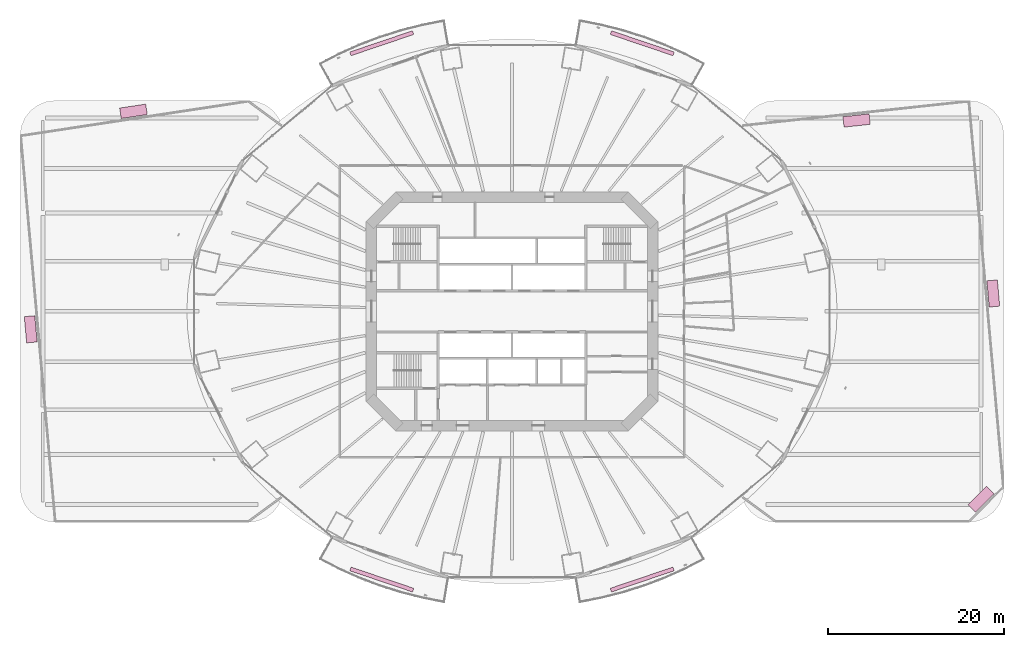
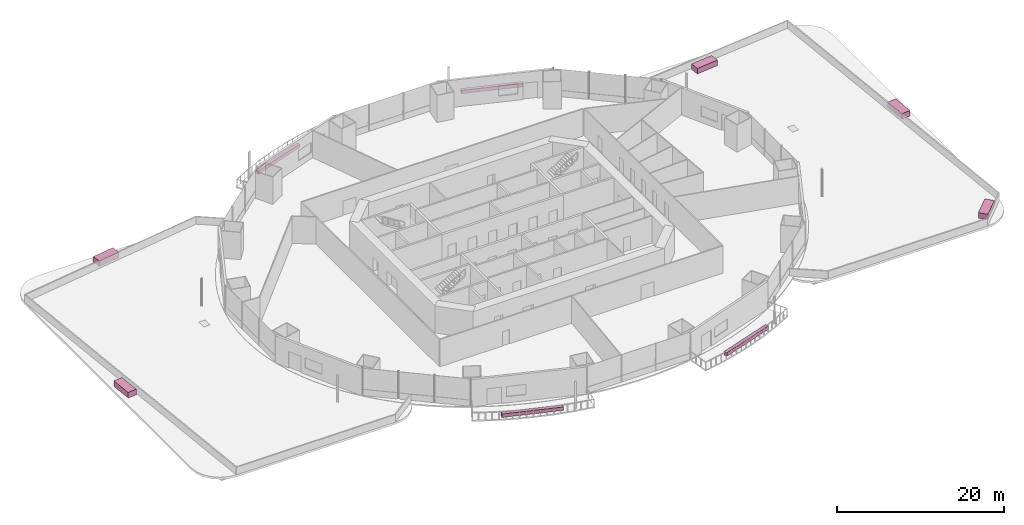
# One storey, part 27 of 27: 9 furnishings.
"""IFC4 building model written with IfcOpenShell, lengths in metres."""

from ifc_helpers import new_model, si_unit, direction, frame, origin, origin_2d, place, context, subcontext, project, spatial, rectangle, extrude, material, type_object, element, save


model = new_model("IFC4")

# Units and contexts
model_context = context("Model", 3, precision=1e-05, world=origin(), true_north=direction((0.0, 1.0)))
body_context = subcontext(model_context, "Body", "Model", "MODEL_VIEW")
ifc_project = project(units=[si_unit("LENGTHUNIT", "METRE"), si_unit("AREAUNIT", "SQUARE_METRE"), si_unit("VOLUMEUNIT", "CUBIC_METRE"), si_unit("PLANEANGLEUNIT", "RADIAN"), si_unit("MASSUNIT", "GRAM", prefix="KILO")], contexts=[model_context])

# Site, building, storey
site_placement = place(None, origin())
site = spatial("IfcSite", under=ifc_project, at=site_placement, CompositionType="ELEMENT")
building_placement = place(site_placement, origin())
building = spatial("IfcBuilding", under=site, at=building_placement, Name="Marenthal Gate Tower", CompositionType="ELEMENT")
storey_placement = place(building_placement, frame((0.0, 0.0, 33.0)))
storey = spatial("IfcBuildingStorey", under=building, at=storey_placement, Name="L04", CompositionType="ELEMENT", Elevation=33.0)

# Furnishings
ifc_material_1 = material(Name="Planting soil and foliage", Category="planting")
furnishing_element_type_1 = type_object("IfcFurnishingElementType", Name="Balcony PLANTER trough", material=ifc_material_1)
for number, where, z_axis, x_axis, name in (
    (1, (14.8193359375, 30.52294921875, -0.0400390625), (0.0, 0.0, 1.0), (-0.947262810404, 0.320457747646, 0.0), "Balcony PLANTER L04 bay 3"),
    (2, (-14.8193359375, 30.52294921875, -0.0400390625), (0.0, 0.0, 1.0), (-0.947262810404, -0.320457747646, 0.0), "Balcony PLANTER L04 bay 5"),
    (3, (-14.8193359375, -30.52294921875, -0.0400390625), (0.0, 0.0, 1.0), (0.947262810404, -0.320457747646, 0.0), "Balcony PLANTER L04 bay 11"),
    (4, (14.8193359375, -30.52294921875, -0.0400390625), (0.0, 0.0, 1.0), (0.947262810404, 0.320457747646, 0.0), "Balcony PLANTER L04 bay 13"),
):
    element("IfcFurnishingElement", number, at=place(storey_placement, frame(where, z_axis=z_axis, x_axis=x_axis)), inside=storey, type_object=furnishing_element_type_1, Name=name, ObjectType="PLANTER", context=body_context, shape_type="SweptSolid", body=[
        extrude(rectangle(XDim=7.5400390625, YDim=0.449951171875, at=origin_2d()), origin(), (0.0, 0.0, 1.0), 0.5),
    ])
ifc_material_2 = material(Name="Planting soil and foliage", Category="planting")
furnishing_element_type_2 = type_object("IfcFurnishingElementType", Name="Plaza PLANTER trough 3000", material=ifc_material_2)
for number, where, z_axis, x_axis, name in (
    (5, (39.220703125, 21.72314453125, -0.0400390625), (0.0, 0.0, 1.0), (0.994280783905, 0.106797578425, 0.0), "Wing roof PLANTER E1"),
    (6, (54.78173828125, 2.03857421875, -0.0400390625), (0.0, 0.0, 1.0), (0.089122717683, -0.996020652995, 0.0), "Wing roof PLANTER E2"),
    (7, (53.376708984375, -21.376708984375, -0.0400390625), (0.0, 0.0, 1.0), (-0.707106781187, -0.707106781187, 0.0), "Wing roof PLANTER E3"),
    (8, (-54.78173828125, -2.03857421875, -0.0400390625), (0.0, 0.0, 1.0), (-0.089122717683, 0.996020652995, 0.0), "Wing roof PLANTER W4"),
    (9, (-43.088623046875, 22.775634765625, -0.0400390625), (0.0, 0.0, 1.0), (0.988700639029, 0.149903456879, 0.0), "Wing roof PLANTER W5"),
):
    element("IfcFurnishingElement", number, at=place(storey_placement, frame(where, z_axis=z_axis, x_axis=x_axis)), inside=storey, type_object=furnishing_element_type_2, Name=name, ObjectType="PLANTER", context=body_context, shape_type="SweptSolid", body=[
        extrude(rectangle(XDim=3.0, YDim=1.199951171875, at=origin_2d()), origin(), (0.0, 0.0, 1.0), 0.800048828125),
    ])

save(model, "model.ifc")
